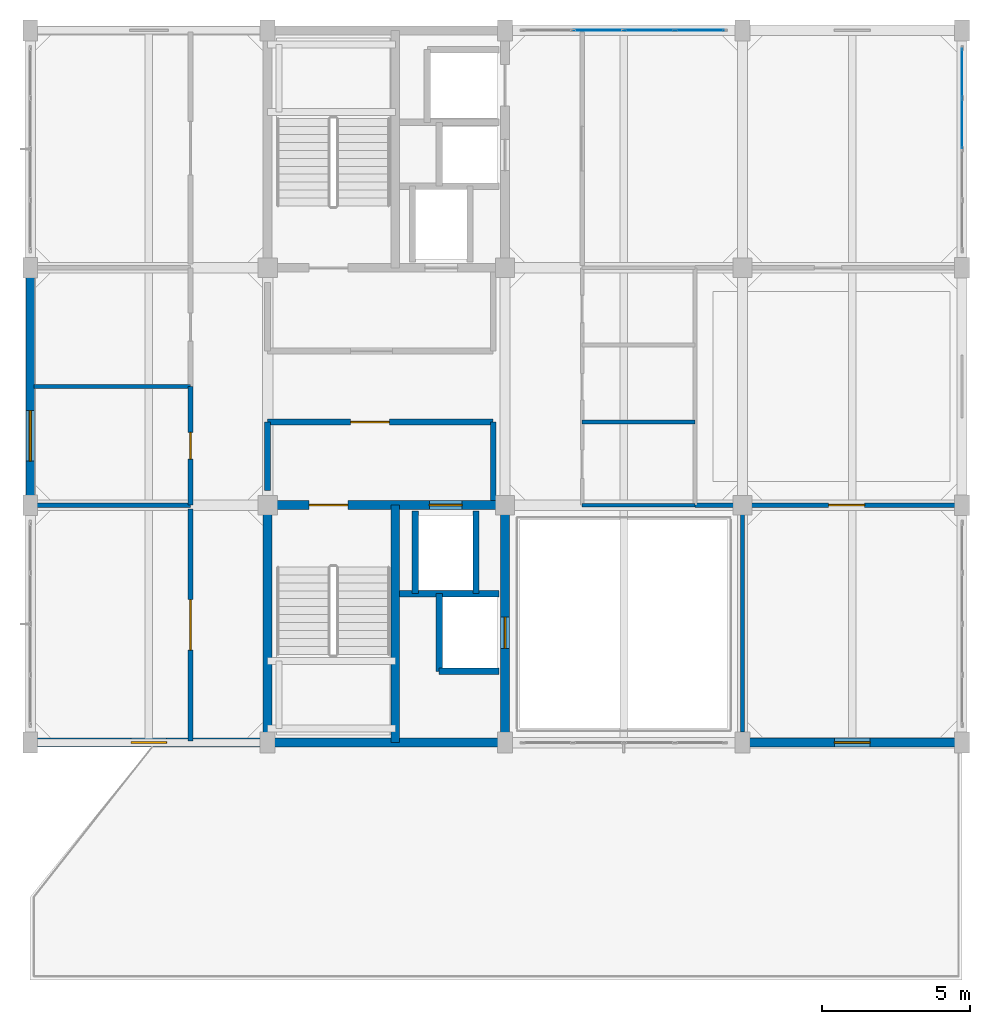
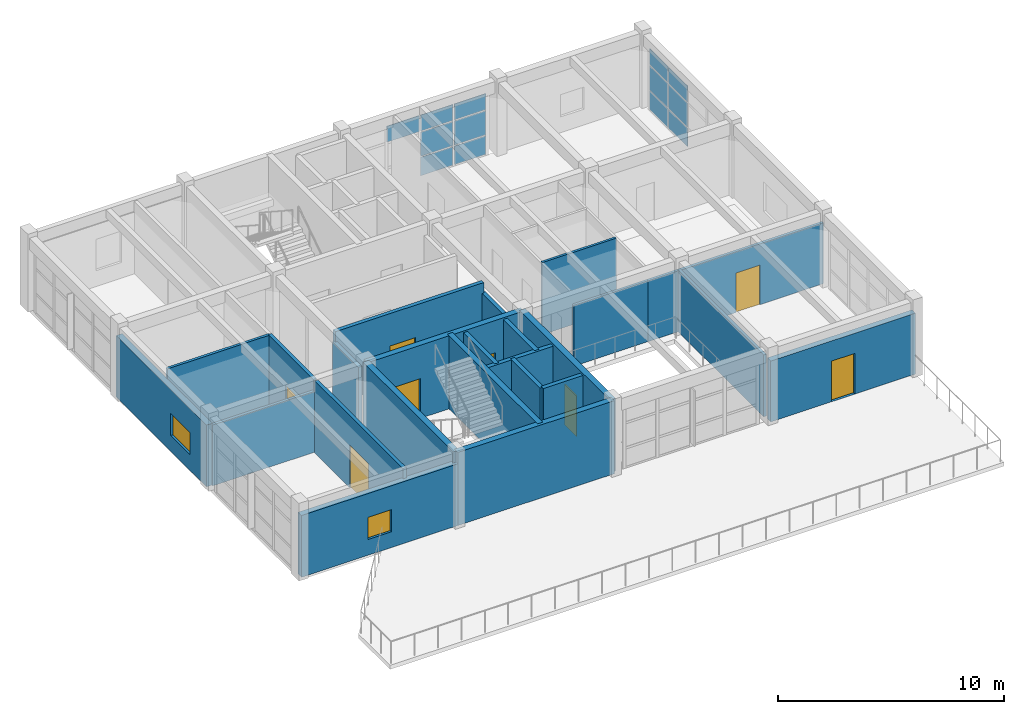
# One storey, part 16 of 20: 24 walls, 13 plates, 8 doors, 2 windows, 10 openings, 2 elements without a shape of their own.
"""IFC4 building model written with IfcOpenShell, lengths in metres."""

from ifc_helpers import new_model, si_unit, direction, frame, frame_2d, origin, origin_2d, place, context, subcontext, project, spatial, rectangle, extrude, material, layer, layer_set, type_object, element, fill, aggregate, save


model = new_model("IFC4")

# Units and contexts
model_context = context("Model", 3, precision=1e-05, world=origin(), true_north=direction((0.0, 1.0)))
body_context = subcontext(model_context, "Body", "Model", "MODEL_VIEW")
ifc_project = project(units=[si_unit("LENGTHUNIT", "METRE"), si_unit("AREAUNIT", "SQUARE_METRE"), si_unit("VOLUMEUNIT", "CUBIC_METRE"), si_unit("PLANEANGLEUNIT", "RADIAN"), si_unit("MASSUNIT", "GRAM", prefix="KILO")], contexts=[model_context])

# Site, building, storey
site_placement = place(None, origin())
site = spatial("IfcSite", under=ifc_project, at=site_placement, CompositionType="ELEMENT")
building_placement = place(site_placement, origin())
building = spatial("IfcBuilding", under=site, at=building_placement, Name="Canggui Botanical Conservatory", CompositionType="ELEMENT")
storey_placement = place(building_placement, frame((0.0, 0.0, 57.0)))
storey = spatial("IfcBuildingStorey", under=building, at=storey_placement, Name="L14", CompositionType="ELEMENT", Elevation=57.0)

# Curtain wall, plates
ifc_material_1 = material(Name="Thermally Broken Aluminium", Category="aluminium")
ifc_layer_1 = layer(ifc_material_1, 0.1650390625, Name="Thermally Broken Aluminium", Category="aluminium")
ifc_layer_set_1 = layer_set([ifc_layer_1], Name="Thermally Broken Aluminium")
curtain_wall_type = type_object("IfcCurtainWallType", Name="CW-UNIT-B", PredefinedType="USERDEFINED", material=ifc_layer_set_1)
curtain_wall_1_placement = place(storey_placement, origin())
curtain_wall_1 = element("IfcCurtainWall", 1, at=curtain_wall_1_placement, inside=storey, type_object=curtain_wall_type, Name="Facade Curtain Wall CW-TWR-L14-08", ObjectType="UNITISED CURTAIN WALL", PredefinedType="USERDEFINED")
ifc_material_2 = material(Name="Low-E Insulated Glass", Category="glass")
ifc_layer_2 = layer(ifc_material_2, 0.030029296875, Name="Low-E Insulated Glass", Category="glass")
ifc_layer_set_2 = layer_set([ifc_layer_2], Name="Low-E Insulated Glass")
plate_type = type_object("IfcPlateType", Name="CWP-02", PredefinedType="CURTAIN_PANEL", material=ifc_layer_set_2)
plate_1_placement = place(storey_placement, frame((165.139892578125, 66.0, 2.47802734375), z_axis=(0.0, 0.0, 1.0), x_axis=(1.0, 0.0, 0.0)))
plate_1 = element("IfcPlate", 2, at=plate_1_placement, type_object=plate_type, Name="CW-02 panel 2.3", PredefinedType="CURTAIN_PANEL", context=body_context, shape_type="SweptSolid", body=[
    extrude(rectangle(XDim=1.655029296875, YDim=0.030029296875, at=origin_2d()), origin(), (0.0, 0.0, 1.0), 0.862060546875),
])
plate_2_placement = place(storey_placement, frame((166.860107421875, 66.0, 0.06005859375), z_axis=(0.0, 0.0, 1.0), x_axis=(1.0, 0.0, 0.0)))
plate_2 = element("IfcPlate", 3, at=plate_2_placement, type_object=plate_type, Name="CW-02 panel 3.1", PredefinedType="CURTAIN_PANEL", context=body_context, shape_type="SweptSolid", body=[
    extrude(rectangle(XDim=1.655029296875, YDim=0.030029296875, at=origin_2d()), origin(), (0.0, 0.0, 1.0), 0.998046875),
])
plate_3_placement = place(storey_placement, frame((166.860107421875, 66.0, 1.1181640625), z_axis=(0.0, 0.0, 1.0), x_axis=(1.0, 0.0, 0.0)))
plate_3 = element("IfcPlate", 4, at=plate_3_placement, type_object=plate_type, Name="CW-02 panel 3.2", PredefinedType="CURTAIN_PANEL", context=body_context, shape_type="SweptSolid", body=[
    extrude(rectangle(XDim=1.655029296875, YDim=0.030029296875, at=origin_2d()), origin(), (0.0, 0.0, 1.0), 1.300048828125),
])
plate_4_placement = place(storey_placement, frame((166.860107421875, 66.0, 2.47802734375), z_axis=(0.0, 0.0, 1.0), x_axis=(1.0, 0.0, 0.0)))
plate_4 = element("IfcPlate", 5, at=plate_4_placement, type_object=plate_type, Name="CW-02 panel 3.3", PredefinedType="CURTAIN_PANEL", context=body_context, shape_type="SweptSolid", body=[
    extrude(rectangle(XDim=1.655029296875, YDim=0.030029296875, at=origin_2d()), origin(), (0.0, 0.0, 1.0), 0.862060546875),
])
plate_5_placement = place(storey_placement, frame((168.563720703125, 66.0, 0.06005859375), z_axis=(0.0, 0.0, 1.0), x_axis=(1.0, 0.0, 0.0)))
plate_5 = element("IfcPlate", 6, at=plate_5_placement, type_object=plate_type, Name="CW-02 panel 4.1", PredefinedType="CURTAIN_PANEL", context=body_context, shape_type="SweptSolid", body=[
    extrude(rectangle(XDim=1.62255859375, YDim=0.030029296875, at=origin_2d()), origin(), (0.0, 0.0, 1.0), 0.998046875),
])
plate_6_placement = place(storey_placement, frame((168.563720703125, 66.0, 1.1181640625), z_axis=(0.0, 0.0, 1.0), x_axis=(1.0, 0.0, 0.0)))
plate_6 = element("IfcPlate", 7, at=plate_6_placement, type_object=plate_type, Name="CW-02 panel 4.2", PredefinedType="CURTAIN_PANEL", context=body_context, shape_type="SweptSolid", body=[
    extrude(rectangle(XDim=1.62255859375, YDim=0.030029296875, at=origin_2d()), origin(), (0.0, 0.0, 1.0), 1.300048828125),
])
plate_7_placement = place(storey_placement, frame((168.563720703125, 66.0, 2.47802734375), z_axis=(0.0, 0.0, 1.0), x_axis=(1.0, 0.0, 0.0)))
plate_7 = element("IfcPlate", 8, at=plate_7_placement, type_object=plate_type, Name="CW-02 panel 4.3", PredefinedType="CURTAIN_PANEL", context=body_context, shape_type="SweptSolid", body=[
    extrude(rectangle(XDim=1.62255859375, YDim=0.030029296875, at=origin_2d()), origin(), (0.0, 0.0, 1.0), 0.862060546875),
])
aggregate(curtain_wall_1, [plate_1, plate_2, plate_3, plate_4, plate_5, plate_6, plate_7])

curtain_wall_2_placement = place(storey_placement, origin())
curtain_wall_2 = element("IfcCurtainWall", 9, at=curtain_wall_2_placement, inside=storey, type_object=curtain_wall_type, Name="Facade Curtain Wall CW-TWR-L14-10", ObjectType="UNITISED CURTAIN WALL", PredefinedType="USERDEFINED")
plate_8_placement = place(storey_placement, frame((177.39990234375, 64.563720703125, 0.06005859375), z_axis=(0.0, 0.0, 1.0), x_axis=(0.0, -1.0, 0.0)))
plate_8 = element("IfcPlate", 10, at=plate_8_placement, type_object=plate_type, Name="CW-02 panel 1.1", PredefinedType="CURTAIN_PANEL", context=body_context, shape_type="SweptSolid", body=[
    extrude(rectangle(XDim=1.62255859375, YDim=0.030029296875, at=origin_2d()), origin(), (0.0, 0.0, 1.0), 0.998046875),
])
plate_9_placement = place(storey_placement, frame((177.39990234375, 64.563720703125, 1.1181640625), z_axis=(0.0, 0.0, 1.0), x_axis=(0.0, -1.0, 0.0)))
plate_9 = element("IfcPlate", 11, at=plate_9_placement, type_object=plate_type, Name="CW-02 panel 1.2", PredefinedType="CURTAIN_PANEL", context=body_context, shape_type="SweptSolid", body=[
    extrude(rectangle(XDim=1.62255859375, YDim=0.030029296875, at=origin_2d()), origin(), (0.0, 0.0, 1.0), 1.300048828125),
])
plate_10_placement = place(storey_placement, frame((177.39990234375, 64.563720703125, 2.47802734375), z_axis=(0.0, 0.0, 1.0), x_axis=(0.0, -1.0, 0.0)))
plate_10 = element("IfcPlate", 12, at=plate_10_placement, type_object=plate_type, Name="CW-02 panel 1.3", PredefinedType="CURTAIN_PANEL", context=body_context, shape_type="SweptSolid", body=[
    extrude(rectangle(XDim=1.62255859375, YDim=0.030029296875, at=origin_2d()), origin(), (0.0, 0.0, 1.0), 0.862060546875),
])
plate_11_placement = place(storey_placement, frame((177.39990234375, 62.860107421875, 0.06005859375), z_axis=(0.0, 0.0, 1.0), x_axis=(0.0, -1.0, 0.0)))
plate_11 = element("IfcPlate", 13, at=plate_11_placement, type_object=plate_type, Name="CW-02 panel 2.1", PredefinedType="CURTAIN_PANEL", context=body_context, shape_type="SweptSolid", body=[
    extrude(rectangle(XDim=1.655029296875, YDim=0.030029296875, at=origin_2d()), origin(), (0.0, 0.0, 1.0), 0.998046875),
])
plate_12_placement = place(storey_placement, frame((177.39990234375, 62.860107421875, 1.1181640625), z_axis=(0.0, 0.0, 1.0), x_axis=(0.0, -1.0, 0.0)))
plate_12 = element("IfcPlate", 14, at=plate_12_placement, type_object=plate_type, Name="CW-02 panel 2.2", PredefinedType="CURTAIN_PANEL", context=body_context, shape_type="SweptSolid", body=[
    extrude(rectangle(XDim=1.655029296875, YDim=0.030029296875, at=origin_2d()), origin(), (0.0, 0.0, 1.0), 1.300048828125),
])
plate_13_placement = place(storey_placement, frame((177.39990234375, 62.860107421875, 2.47802734375), z_axis=(0.0, 0.0, 1.0), x_axis=(0.0, -1.0, 0.0)))
plate_13 = element("IfcPlate", 15, at=plate_13_placement, type_object=plate_type, Name="CW-02 panel 2.3", PredefinedType="CURTAIN_PANEL", context=body_context, shape_type="SweptSolid", body=[
    extrude(rectangle(XDim=1.655029296875, YDim=0.030029296875, at=origin_2d()), origin(), (0.0, 0.0, 1.0), 0.862060546875),
])
aggregate(curtain_wall_2, [plate_8, plate_9, plate_10, plate_11, plate_12, plate_13])

# Wall, opening, door
ifc_material_3 = material(Name="Precast Concrete C40", Category="concrete")
ifc_layer_3 = layer(ifc_material_3, 0.300048828125, Name="Precast Concrete C40", Category="concrete")
ifc_layer_set_3 = layer_set([ifc_layer_3], Name="Precast Concrete C40")
wall_type_1 = type_object("IfcWallType", Name="EW-300", PredefinedType="STANDARD", material=ifc_layer_set_3)
wall_1_placement = place(storey_placement, frame((177.39990234375, 42.0, 0.0), z_axis=(0.0, 0.0, 1.0), x_axis=(-1.0, 0.0, 0.0)))
wall_1 = element("IfcWall", 16, at=wall_1_placement, inside=storey, type_object=wall_type_1, Name="Tower Insulated Exterior Wall L14-S1", PredefinedType="STANDARD", context=body_context, shape_type="SweptSolid", body=[
    extrude(rectangle(XDim=7.39990234375, YDim=0.300048828125, at=frame_2d((3.699951171875, 0.0))), origin(), (0.0, 0.0, 1.0), 3.2900390625),
])
opening_1_placement = place(wall_1_placement, frame((3.10009765625, 0.0, 0.0)))
opening_1 = element("IfcOpeningElement", 17, at=opening_1_placement, cuts=wall_1, Name="Opening TD-02", PredefinedType="OPENING", context=body_context, shape_type="SweptSolid", body=[
    extrude(rectangle(XDim=1.199951171875, YDim=2.199951171875, at=frame_2d((0.60009765625, 1.10009765625))), frame((0.0, 0.16015625, 0.0), z_axis=(0.0, -1.0, 0.0), x_axis=(1.0, 0.0, 0.0)), (0.0, 0.0, 1.0), 0.320068359375),
])
ifc_material_4 = material(Name="Anodised Aluminium", Category="aluminium")
door_type_1 = type_object("IfcDoorType", Name="EDR-TER12", OperationType="NOTDEFINED", PredefinedType="DOOR", material=ifc_material_4)
door_1_placement = place(opening_1_placement, origin())
door_1 = element("IfcDoor", 18, at=door_1_placement, inside=storey, type_object=door_type_1, Name="Sky Terrace Access Door L14", OperationType="SINGLE_SWING_RIGHT", OverallHeight=2.199951171875, OverallWidth=1.199951171875, PredefinedType="DOOR", context=body_context, shape_type="SweptSolid", body=[
    extrude(rectangle(XDim=1.199951171875, YDim=2.199951171875, at=frame_2d((0.60009765625, 1.10009765625))), frame((0.0, 0.02490234375, 0.0), z_axis=(0.0, -1.0, 0.0), x_axis=(1.0, 0.0, 0.0)), (0.0, 0.0, 1.0), 0.050048828125),
])
fill(opening_1, door_1)

# Wall, opening, window
wall_2_placement = place(storey_placement, frame((154.0, 42.0, 0.0), z_axis=(0.0, 0.0, 1.0), x_axis=(-1.0, 0.0, 0.0)))
wall_2 = element("IfcWall", 19, at=wall_2_placement, inside=storey, type_object=wall_type_1, Name="Tower Insulated Exterior Wall L14-S3", PredefinedType="STANDARD", context=body_context, shape_type="SweptSolid", body=[
    extrude(rectangle(XDim=8.0, YDim=0.300048828125, at=frame_2d((4.0, 0.0))), origin(), (0.0, 0.0, 1.0), 3.340087890625),
])
opening_2_placement = place(wall_2_placement, frame((3.39990234375, 0.0, 0.85009765625)))
opening_2 = element("IfcOpeningElement", 20, at=opening_2_placement, cuts=wall_2, Name="Opening W-06", PredefinedType="OPENING", context=body_context, shape_type="SweptSolid", body=[
    extrude(rectangle(XDim=1.199951171875, YDim=1.199951171875, at=frame_2d((0.60009765625, 0.60009765625))), frame((0.0, 0.16015625, 0.0), z_axis=(0.0, -1.0, 0.0), x_axis=(1.0, 0.0, 0.0)), (0.0, 0.0, 1.0), 0.320068359375),
])
window_type_1 = type_object("IfcWindowType", Name="WIN-06", PartitioningType="SINGLE_PANEL", PredefinedType="WINDOW", material=ifc_material_2)
window_1_placement = place(opening_2_placement, origin())
window_1 = element("IfcWindow", 21, at=window_1_placement, inside=storey, type_object=window_type_1, Name="Tower Firefighter Rescue Window L14-3", OverallHeight=1.199951171875, OverallWidth=1.199951171875, PartitioningType="SINGLE_PANEL", PredefinedType="WINDOW", context=body_context, shape_type="SweptSolid", body=[
    extrude(rectangle(XDim=1.199951171875, YDim=1.199951171875, at=frame_2d((0.60009765625, 0.60009765625))), frame((0.0, 0.030029296875, 0.0), z_axis=(0.0, -1.0, 0.0), x_axis=(1.0, 0.0, 0.0)), (0.0, 0.0, 1.0), 0.06005859375),
])
fill(opening_2, window_1)

wall_3_placement = place(storey_placement, frame((146.0, 50.0, 0.0), z_axis=(0.0, 0.0, 1.0), x_axis=(0.0, 1.0, 0.0)))
wall_3 = element("IfcWall", 22, at=wall_3_placement, inside=storey, type_object=wall_type_1, Name="Tower Insulated Exterior Wall L14-W5", PredefinedType="STANDARD", context=body_context, shape_type="SweptSolid", body=[
    extrude(rectangle(XDim=8.0, YDim=0.300048828125, at=frame_2d((4.0, 0.0))), origin(), (0.0, 0.0, 1.0), 3.340087890625),
])
opening_3_placement = place(wall_3_placement, frame((1.48291015625, 0.0, 0.85009765625)))
opening_3 = element("IfcOpeningElement", 23, at=opening_3_placement, cuts=wall_3, Name="Opening W-23", PredefinedType="OPENING", context=body_context, shape_type="SweptSolid", body=[
    extrude(rectangle(XDim=1.699951171875, YDim=1.199951171875, at=frame_2d((0.85009765625, 0.60009765625))), frame((0.0, 0.16015625, 0.0), z_axis=(0.0, -1.0, 0.0), x_axis=(1.0, 0.0, 0.0)), (0.0, 0.0, 1.0), 0.320068359375),
])
window_type_2 = type_object("IfcWindowType", Name="WIN-23", PartitioningType="SINGLE_PANEL", PredefinedType="WINDOW", material=ifc_material_2)
window_2_placement = place(opening_3_placement, origin())
window_2 = element("IfcWindow", 24, at=window_2_placement, inside=storey, type_object=window_type_2, Name="Tower Window L14-5", OverallHeight=1.199951171875, OverallWidth=1.699951171875, PartitioningType="SINGLE_PANEL", PredefinedType="WINDOW", context=body_context, shape_type="SweptSolid", body=[
    extrude(rectangle(XDim=1.699951171875, YDim=1.199951171875, at=frame_2d((0.85009765625, 0.60009765625))), frame((0.0, 0.030029296875, 0.0), z_axis=(0.0, -1.0, 0.0), x_axis=(1.0, 0.0, 0.0)), (0.0, 0.0, 1.0), 0.06005859375),
])
fill(opening_3, window_2)

# Wall, opening, door
ifc_material_5 = material(Name="Gypsum Plasterboard Partition")
ifc_layer_4 = layer(ifc_material_5, 0.175048828125, Name="Gypsum Plasterboard Partition")
ifc_layer_set_4 = layer_set([ifc_layer_4], Name="Gypsum Plasterboard Partition")
wall_type_2 = type_object("IfcWallType", Name="IW-CORR-175", PredefinedType="STANDARD", material=ifc_layer_set_4)
wall_4_placement = place(storey_placement, frame((151.39990234375, 42.050048828125, 0.0), z_axis=(0.0, 0.0, 1.0), x_axis=(0.0, 1.0, 0.0)))
wall_4 = element("IfcWall", 25, at=wall_4_placement, inside=storey, type_object=wall_type_2, Name="L14 Conservation Curation Studio Corridor Wall", PredefinedType="STANDARD", context=body_context, shape_type="SweptSolid", body=[
    extrude(rectangle(XDim=7.829833984375, YDim=0.175048828125, at=frame_2d((3.9150390625, 0.0))), origin(), (0.0, 0.0, 1.0), 3.89990234375),
])
opening_4_placement = place(wall_4_placement, frame((3.06494140625, 0.0, 0.0)))
opening_4 = element("IfcOpeningElement", 26, at=opening_4_placement, cuts=wall_4, Name="Opening FD-16", PredefinedType="OPENING", context=body_context, shape_type="SweptSolid", body=[
    extrude(rectangle(XDim=1.699951171875, YDim=2.300048828125, at=frame_2d((0.85009765625, 1.14990234375))), frame((0.0, 0.09765625, 0.0), z_axis=(0.0, -1.0, 0.0), x_axis=(1.0, 0.0, 0.0)), (0.0, 0.0, 1.0), 0.195068359375),
])
ifc_material_6 = material(Name="Powder-Coated Steel", Category="steel")
door_type_2 = type_object("IfcDoorType", Name="FD-16", OperationType="NOTDEFINED", PredefinedType="DOOR", material=ifc_material_6)
door_2_placement = place(opening_4_placement, origin())
door_2 = element("IfcDoor", 27, at=door_2_placement, inside=storey, type_object=door_type_2, Name="L14 Conservation Curation Studio Entrance Door", OperationType="DOUBLE_DOOR_SINGLE_SWING", OverallHeight=2.300048828125, OverallWidth=1.699951171875, PredefinedType="DOOR", context=body_context, shape_type="SweptSolid", body=[
    extrude(rectangle(XDim=1.699951171875, YDim=2.300048828125, at=frame_2d((0.85009765625, 1.14990234375))), frame((0.0, 0.02490234375, 0.0), z_axis=(0.0, -1.0, 0.0), x_axis=(1.0, 0.0, 0.0)), (0.0, 0.0, 1.0), 0.050048828125),
])
fill(opening_4, door_2)

wall_5_placement = place(storey_placement, frame((151.39990234375, 50.0, 0.0), z_axis=(0.0, 0.0, 1.0), x_axis=(0.0, 1.0, 0.0)))
wall_5 = element("IfcWall", 28, at=wall_5_placement, inside=storey, type_object=wall_type_2, Name="L14 Cleaners' Store Wall", PredefinedType="STANDARD", context=body_context, shape_type="SweptSolid", body=[
    extrude(rectangle(XDim=4.0, YDim=0.175048828125, at=frame_2d((2.0, 0.0))), origin(), (0.0, 0.0, 1.0), 3.89990234375),
])
opening_5_placement = place(wall_5_placement, frame((1.550048828125, 0.0, 0.0)))
opening_5 = element("IfcOpeningElement", 29, at=opening_5_placement, cuts=wall_5, Name="Opening FD-01", PredefinedType="OPENING", context=body_context, shape_type="SweptSolid", body=[
    extrude(rectangle(XDim=0.89990234375, YDim=2.10009765625, at=frame_2d((0.449951171875, 1.050048828125))), frame((0.0, 0.09765625, 0.0), z_axis=(0.0, -1.0, 0.0), x_axis=(1.0, 0.0, 0.0)), (0.0, 0.0, 1.0), 0.195068359375),
])
door_type_3 = type_object("IfcDoorType", Name="FD-01", OperationType="NOTDEFINED", PredefinedType="DOOR", material=ifc_material_6)
door_3_placement = place(opening_5_placement, origin())
door_3 = element("IfcDoor", 30, at=door_3_placement, inside=storey, type_object=door_type_3, Name="Interior Door IW-L14-STRW1", OperationType="SINGLE_SWING_LEFT", OverallHeight=2.10009765625, OverallWidth=0.89990234375, PredefinedType="DOOR", context=body_context, shape_type="SweptSolid", body=[
    extrude(rectangle(XDim=0.89990234375, YDim=2.10009765625, at=frame_2d((0.449951171875, 1.050048828125))), frame((0.0, 0.02490234375, 0.0), z_axis=(0.0, -1.0, 0.0), x_axis=(1.0, 0.0, 0.0)), (0.0, 0.0, 1.0), 0.050048828125),
])
fill(opening_5, door_3)

ifc_material_7 = material(Name="Concrete C35", Category="concrete")
ifc_layer_5 = layer(ifc_material_7, 0.195068359375, Name="Concrete C35", Category="concrete")
ifc_layer_set_5 = layer_set([ifc_layer_5], Name="Concrete C35")
wall_type_3 = type_object("IfcWallType", Name="IW-LOBBY-195", PredefinedType="STANDARD", material=ifc_layer_set_5)
wall_6_placement = place(storey_placement, frame((154.0, 52.800048828125, 0.0), z_axis=(0.0, 0.0, 1.0), x_axis=(1.0, 0.0, 0.0)))
wall_6 = element("IfcWall", 31, at=wall_6_placement, inside=storey, type_object=wall_type_3, Name="L14 South Firefighting Lift Lobby North Wall", PredefinedType="STANDARD", context=body_context, shape_type="SweptSolid", body=[
    extrude(rectangle(XDim=7.60009765625, YDim=0.195068359375, at=frame_2d((3.800048828125, 0.0))), origin(), (0.0, 0.0, 1.0), 3.89990234375),
])
opening_6_placement = place(wall_6_placement, frame((2.800048828125, 0.0, 0.0)))
opening_6 = element("IfcOpeningElement", 32, at=opening_6_placement, cuts=wall_6, Name="Opening FD-09", PredefinedType="OPENING", context=body_context, shape_type="SweptSolid", body=[
    extrude(rectangle(XDim=1.300048828125, YDim=2.14990234375, at=frame_2d((0.64990234375, 1.074951171875))), frame((0.0, 0.107421875, 0.0), z_axis=(0.0, -1.0, 0.0), x_axis=(1.0, 0.0, 0.0)), (0.0, 0.0, 1.0), 0.215087890625),
])
door_type_4 = type_object("IfcDoorType", Name="FD-09", OperationType="NOTDEFINED", PredefinedType="DOOR", material=ifc_material_6)
door_4_placement = place(opening_6_placement, origin())
door_4 = element("IfcDoor", 33, at=door_4_placement, inside=storey, type_object=door_type_4, Name="L14 South Firefighting Lobby Fire Door", OperationType="SINGLE_SWING_RIGHT", OverallHeight=2.14990234375, OverallWidth=1.300048828125, PredefinedType="DOOR", context=body_context, shape_type="SweptSolid", body=[
    extrude(rectangle(XDim=1.300048828125, YDim=2.14990234375, at=frame_2d((0.64990234375, 1.074951171875))), frame((0.0, 0.02490234375, 0.0), z_axis=(0.0, -1.0, 0.0), x_axis=(1.0, 0.0, 0.0)), (0.0, 0.0, 1.0), 0.050048828125),
])
fill(opening_6, door_4)

# Walls
wall_7_placement = place(storey_placement, frame((161.60009765625, 50.14990234375, 0.0), z_axis=(0.0, 0.0, 1.0), x_axis=(0.0, 1.0, 0.0)))
element("IfcWall", 34, at=wall_7_placement, inside=storey, type_object=wall_type_3, Name="L14 South Firefighting Lift Lobby East Wall", PredefinedType="STANDARD", context=body_context, shape_type="SweptSolid", body=[
    extrude(rectangle(XDim=2.650146484375, YDim=0.195068359375, at=frame_2d((1.3251953125, 0.0))), origin(), (0.0, 0.0, 1.0), 3.340087890625),
])
wall_8_placement = place(storey_placement, frame((154.0, 50.5, 0.0), z_axis=(0.0, 0.0, 1.0), x_axis=(0.0, 1.0, 0.0)))
element("IfcWall", 35, at=wall_8_placement, inside=storey, type_object=wall_type_3, Name="L14 South Firefighting Lift Lobby West Wall", PredefinedType="STANDARD", context=body_context, shape_type="SweptSolid", body=[
    extrude(rectangle(XDim=2.300048828125, YDim=0.195068359375, at=frame_2d((1.14990234375, 0.0))), origin(), (0.0, 0.0, 1.0), 3.340087890625),
])
ifc_layer_6 = layer(ifc_material_5, 0.139892578125, Name="Gypsum Plasterboard Partition")
ifc_layer_set_6 = layer_set([ifc_layer_6], Name="Gypsum Plasterboard Partition")
wall_type_4 = type_object("IfcWallType", Name="IW-PART-140", PredefinedType="STANDARD", material=ifc_layer_set_6)
wall_9_placement = place(storey_placement, frame((146.1201171875, 50.0, 0.0), z_axis=(0.0, 0.0, 1.0), x_axis=(1.0, 0.0, 0.0)))
element("IfcWall", 36, at=wall_9_placement, inside=storey, type_object=wall_type_4, Name="L14 Store South Cross Wall", PredefinedType="STANDARD", context=body_context, shape_type="SweptSolid", body=[
    extrude(rectangle(XDim=5.27978515625, YDim=0.139892578125, at=frame_2d((2.639892578125, 0.0))), origin(), (0.0, 0.0, 1.0), 3.2900390625),
])
wall_10_placement = place(storey_placement, frame((146.1201171875, 54.0, 0.0), z_axis=(0.0, 0.0, 1.0), x_axis=(1.0, 0.0, 0.0)))
element("IfcWall", 37, at=wall_10_placement, inside=storey, type_object=wall_type_4, Name="L14 Store Cross Wall", PredefinedType="STANDARD", context=body_context, shape_type="SweptSolid", body=[
    extrude(rectangle(XDim=5.27978515625, YDim=0.139892578125, at=frame_2d((2.639892578125, 0.0))), origin(), (0.0, 0.0, 1.0), 3.89990234375),
])
wall_11_placement = place(storey_placement, frame((170.0, 42.35009765625, 0.0), z_axis=(0.0, 0.0, 1.0), x_axis=(0.0, 1.0, 0.0)))
element("IfcWall", 38, at=wall_11_placement, inside=storey, type_object=wall_type_4, Name="L14 Population Genetics Void Wall", PredefinedType="STANDARD", context=body_context, shape_type="SweptSolid", body=[
    extrude(rectangle(XDim=7.64990234375, YDim=0.139892578125, at=frame_2d((3.824951171875, 0.0))), origin(), (0.0, 0.0, 1.0), 3.340087890625),
])

# Wall, opening, door
wall_12_placement = place(storey_placement, frame((168.39990234375, 50.0, 0.0), z_axis=(0.0, 0.0, 1.0), x_axis=(1.0, 0.0, 0.0)))
wall_12 = element("IfcWall", 39, at=wall_12_placement, inside=storey, type_object=wall_type_4, Name="L14 Population Genetics North Wall", PredefinedType="STANDARD", context=body_context, shape_type="SweptSolid", body=[
    extrude(rectangle(XDim=8.960205078125, YDim=0.139892578125, at=frame_2d((4.47998046875, 0.0))), origin(), (0.0, 0.0, 1.0), 3.2900390625),
])
opening_7_placement = place(wall_12_placement, frame((4.5, 0.0, 0.0)))
opening_7 = element("IfcOpeningElement", 40, at=opening_7_placement, cuts=wall_12, Name="Opening ID-08", PredefinedType="OPENING", context=body_context, shape_type="SweptSolid", body=[
    extrude(rectangle(XDim=1.219970703125, YDim=2.139892578125, at=frame_2d((0.60986328125, 1.06982421875))), frame((0.0, 0.080078125, 0.0), z_axis=(0.0, -1.0, 0.0), x_axis=(1.0, 0.0, 0.0)), (0.0, 0.0, 1.0), 0.159912109375),
])
ifc_material_8 = material(Name="Engineered Timber Veneer", Category="wood")
door_type_5 = type_object("IfcDoorType", Name="ID-08", OperationType="NOTDEFINED", PredefinedType="DOOR", material=ifc_material_8)
door_5_placement = place(opening_7_placement, origin())
door_5 = element("IfcDoor", 41, at=door_5_placement, inside=storey, type_object=door_type_5, Name="Interior Door IW-L14-EFAR-N", OperationType="SINGLE_SWING_LEFT", OverallHeight=2.139892578125, OverallWidth=1.219970703125, PredefinedType="DOOR", context=body_context, shape_type="SweptSolid", body=[
    extrude(rectangle(XDim=1.219970703125, YDim=2.139892578125, at=frame_2d((0.60986328125, 1.06982421875))), frame((0.0, 0.02490234375, 0.0), z_axis=(0.0, -1.0, 0.0), x_axis=(1.0, 0.0, 0.0)), (0.0, 0.0, 1.0), 0.050048828125),
])
fill(opening_7, door_5)

# Walls
ifc_layer_7 = layer(ifc_material_7, 0.215087890625, Name="Concrete C35", Category="concrete")
ifc_layer_set_7 = layer_set([ifc_layer_7], Name="Concrete C35")
wall_type_5 = type_object("IfcWallType", Name="IW-SHAFT-215", PredefinedType="STANDARD", material=ifc_layer_set_7)
wall_13_placement = place(storey_placement, frame((158.449951171875, 47.02001953125, 0.0), z_axis=(0.0, 0.0, 1.0), x_axis=(1.0, 0.0, 0.0)))
element("IfcWall", 42, at=wall_13_placement, inside=storey, type_object=wall_type_5, Name="Core T1 Lift Shaft Divider L14", PredefinedType="STANDARD", context=body_context, shape_type="SweptSolid", body=[
    extrude(rectangle(XDim=3.35009765625, YDim=0.215087890625, at=frame_2d((1.675048828125, 0.0))), origin(), (0.0, 0.0, 1.0), 3.89990234375),
])
for number, where, z_axis, x_axis, name in (
    (43, (158.97998046875, 47.02001953125, 0.0), (0.0, 0.0, 1.0), (0.0, 1.0, 0.0), "Core T1 FL-01 West Shaft Wall L14"),
    (44, (161.02001953125, 47.02001953125, 0.0), (0.0, 0.0, 1.0), (0.0, 1.0, 0.0), "Core T1 FL-01 East Shaft Wall L14"),
):
    element("IfcWall", number, at=place(storey_placement, frame(where, z_axis=z_axis, x_axis=x_axis)), inside=storey, type_object=wall_type_5, Name=name, PredefinedType="STANDARD", context=body_context, shape_type="SweptSolid", body=[
        extrude(rectangle(XDim=2.780029296875, YDim=0.215087890625, at=frame_2d((1.39013671875, 0.0))), origin(), (0.0, 0.0, 1.0), 3.89990234375),
    ])
wall_14_placement = place(storey_placement, frame((159.780029296875, 44.39990234375, 0.0), z_axis=(0.0, 0.0, 1.0), x_axis=(0.0, 1.0, 0.0)))
element("IfcWall", 45, at=wall_14_placement, inside=storey, type_object=wall_type_5, Name="Core T1 PL-01 West Shaft Wall L14", PredefinedType="STANDARD", context=body_context, shape_type="SweptSolid", body=[
    extrude(rectangle(XDim=2.6201171875, YDim=0.215087890625, at=frame_2d((1.31005859375, 0.0))), origin(), (0.0, 0.0, 1.0), 3.89990234375),
])
wall_15_placement = place(storey_placement, frame((159.780029296875, 44.39990234375, 0.0), z_axis=(0.0, 0.0, 1.0), x_axis=(1.0, 0.0, 0.0)))
element("IfcWall", 46, at=wall_15_placement, inside=storey, type_object=wall_type_5, Name="Core T1 PL-01 South Shaft Wall L14", PredefinedType="STANDARD", context=body_context, shape_type="SweptSolid", body=[
    extrude(rectangle(XDim=2.02001953125, YDim=0.215087890625, at=frame_2d((1.010009765625, 0.0))), origin(), (0.0, 0.0, 1.0), 3.89990234375),
])
ifc_layer_8 = layer(ifc_material_5, 0.125, Name="Gypsum Plasterboard Partition")
ifc_layer_set_8 = layer_set([ifc_layer_8], Name="Gypsum Plasterboard Partition")
wall_type_6 = type_object("IfcWallType", Name="IW-WC-125", PredefinedType="STANDARD", material=ifc_layer_set_8)
wall_16_placement = place(storey_placement, frame((164.60009765625, 50.0, 0.0), z_axis=(0.0, 0.0, 1.0), x_axis=(1.0, 0.0, 0.0)))
element("IfcWall", 47, at=wall_16_placement, inside=storey, type_object=wall_type_6, Name="L14 Restroom Divider Y50.0", PredefinedType="STANDARD", context=body_context, shape_type="SweptSolid", body=[
    extrude(rectangle(XDim=3.7998046875, YDim=0.125, at=frame_2d((1.89990234375, 0.0))), origin(), (0.0, 0.0, 1.0), 3.2900390625),
])
wall_17_placement = place(storey_placement, frame((164.60009765625, 52.800048828125, 0.0), z_axis=(0.0, 0.0, 1.0), x_axis=(1.0, 0.0, 0.0)))
element("IfcWall", 48, at=wall_17_placement, inside=storey, type_object=wall_type_6, Name="L14 Restroom Divider Y52.8", PredefinedType="STANDARD", context=body_context, shape_type="SweptSolid", body=[
    extrude(rectangle(XDim=3.7998046875, YDim=0.125, at=frame_2d((1.89990234375, 0.0))), origin(), (0.0, 0.0, 1.0), 3.89990234375),
])
ifc_layer_9 = layer(ifc_material_7, 0.280029296875, Name="Concrete C35", Category="concrete")
ifc_layer_set_9 = layer_set([ifc_layer_9], Name="Concrete C35")
wall_type_7 = type_object("IfcWallType", Name="WALL-SH-280-C35", PredefinedType="SHEAR", material=ifc_layer_set_9)
wall_18_placement = place(storey_placement, frame((158.300048828125, 42.0, 0.0), z_axis=(0.0, 0.0, 1.0), x_axis=(0.0, 1.0, 0.0)))
element("IfcWall", 49, at=wall_18_placement, inside=storey, type_object=wall_type_7, Name="Core T1 Internal Shear Web L14", PredefinedType="SHEAR", context=body_context, shape_type="SweptSolid", body=[
    extrude(rectangle(XDim=8.0, YDim=0.280029296875, at=frame_2d((4.0, 0.0))), origin(), (0.0, 0.0, 1.0), 3.949951171875),
])
ifc_layer_10 = layer(ifc_material_7, 0.300048828125, Name="Concrete C35", Category="concrete")
ifc_layer_set_10 = layer_set([ifc_layer_10], Name="Concrete C35")
wall_type_8 = type_object("IfcWallType", Name="WALL-SH-300-C35", PredefinedType="SHEAR", material=ifc_layer_set_10)
wall_19_placement = place(storey_placement, frame((154.0, 42.0, 0.0), z_axis=(0.0, 0.0, 1.0), x_axis=(1.0, 0.0, 0.0)))
element("IfcWall", 50, at=wall_19_placement, inside=storey, type_object=wall_type_8, Name="Core T1 Shear Wall L14-S", PredefinedType="SHEAR", context=body_context, shape_type="SweptSolid", body=[
    extrude(rectangle(XDim=8.0, YDim=0.300048828125, at=frame_2d((4.0, 0.0))), origin(), (0.0, 0.0, 1.0), 3.949951171875),
])

# Wall, opening, door
wall_20_placement = place(storey_placement, frame((162.0, 42.0, 0.0), z_axis=(0.0, 0.0, 1.0), x_axis=(0.0, 1.0, 0.0)))
wall_20 = element("IfcWall", 51, at=wall_20_placement, inside=storey, type_object=wall_type_8, Name="Core T1 Shear Wall L14-E", PredefinedType="SHEAR", context=body_context, shape_type="SweptSolid", body=[
    extrude(rectangle(XDim=8.0, YDim=0.300048828125, at=frame_2d((4.0, 0.0))), origin(), (0.0, 0.0, 1.0), 3.949951171875),
])
opening_8_placement = place(wall_20_placement, frame((3.175048828125, 0.0, 0.0)))
opening_8 = element("IfcOpeningElement", 52, at=opening_8_placement, cuts=wall_20, Name="Opening LD-02", PredefinedType="OPENING", context=body_context, shape_type="SweptSolid", body=[
    extrude(rectangle(XDim=1.050048828125, YDim=2.199951171875, at=frame_2d((0.52490234375, 1.10009765625))), frame((0.0, 0.16015625, 0.0), z_axis=(0.0, -1.0, 0.0), x_axis=(1.0, 0.0, 0.0)), (0.0, 0.0, 1.0), 0.320068359375),
])
ifc_material_9 = material(Name="Stainless Steel 304", Category="steel")
door_type_6 = type_object("IfcDoorType", Name="LDR-02", OperationType="NOTDEFINED", PredefinedType="DOOR", material=ifc_material_9)
door_6_placement = place(opening_8_placement, origin())
door_6 = element("IfcDoor", 53, at=door_6_placement, inside=storey, type_object=door_type_6, Name="Passenger Lift PL-01 Landing Door L14", OperationType="SLIDING_TO_LEFT", OverallHeight=2.199951171875, OverallWidth=1.050048828125, PredefinedType="DOOR", context=body_context, shape_type="SweptSolid", body=[
    extrude(rectangle(XDim=1.050048828125, YDim=2.199951171875, at=frame_2d((0.52490234375, 1.10009765625))), frame((0.0, 0.02490234375, 0.0), z_axis=(0.0, -1.0, 0.0), x_axis=(1.0, 0.0, 0.0)), (0.0, 0.0, 1.0), 0.050048828125),
])
fill(opening_8, door_6)

# Wall, openings, doors
wall_21_placement = place(storey_placement, frame((162.0, 50.0, 0.0), z_axis=(0.0, 0.0, 1.0), x_axis=(-1.0, 0.0, 0.0)))
wall_21 = element("IfcWall", 54, at=wall_21_placement, inside=storey, type_object=wall_type_8, Name="Core T1 Shear Wall L14-N", PredefinedType="SHEAR", context=body_context, shape_type="SweptSolid", body=[
    extrude(rectangle(XDim=8.0, YDim=0.300048828125, at=frame_2d((4.0, 0.0))), origin(), (0.0, 0.0, 1.0), 3.949951171875),
])
opening_9_placement = place(wall_21_placement, frame((5.300048828125, 0.0, 0.0)))
opening_9 = element("IfcOpeningElement", 55, at=opening_9_placement, cuts=wall_21, Name="Opening FD-09", PredefinedType="OPENING", context=body_context, shape_type="SweptSolid", body=[
    extrude(rectangle(XDim=1.300048828125, YDim=2.14990234375, at=frame_2d((0.64990234375, 1.074951171875))), frame((0.0, 0.16015625, 0.0), z_axis=(0.0, -1.0, 0.0), x_axis=(1.0, 0.0, 0.0)), (0.0, 0.0, 1.0), 0.320068359375),
])
opening_10_placement = place(wall_21_placement, frame((1.449951171875, 0.0, 0.0)))
opening_10 = element("IfcOpeningElement", 56, at=opening_10_placement, cuts=wall_21, Name="Opening LD-01", PredefinedType="OPENING", context=body_context, shape_type="SweptSolid", body=[
    extrude(rectangle(XDim=1.10009765625, YDim=2.199951171875, at=frame_2d((0.550048828125, 1.10009765625))), frame((0.0, 0.16015625, 0.0), z_axis=(0.0, -1.0, 0.0), x_axis=(1.0, 0.0, 0.0)), (0.0, 0.0, 1.0), 0.320068359375),
])
door_7_placement = place(opening_9_placement, origin())
door_7 = element("IfcDoor", 57, at=door_7_placement, inside=storey, type_object=door_type_4, Name="Tower South Smoke-Proof Stair Door L14", OperationType="SINGLE_SWING_LEFT", OverallHeight=2.14990234375, OverallWidth=1.300048828125, PredefinedType="DOOR", context=body_context, shape_type="SweptSolid", body=[
    extrude(rectangle(XDim=1.300048828125, YDim=2.14990234375, at=frame_2d((0.64990234375, 1.074951171875))), frame((0.0, 0.02490234375, 0.0), z_axis=(0.0, -1.0, 0.0), x_axis=(1.0, 0.0, 0.0)), (0.0, 0.0, 1.0), 0.050048828125),
])
fill(opening_9, door_7)
door_type_7 = type_object("IfcDoorType", Name="LDR-01", OperationType="NOTDEFINED", PredefinedType="DOOR", material=ifc_material_9)
door_8_placement = place(opening_10_placement, origin())
door_8 = element("IfcDoor", 58, at=door_8_placement, inside=storey, type_object=door_type_7, Name="Firefighting Lift FL-01 Landing Door L14", OperationType="SLIDING_TO_LEFT", OverallHeight=2.199951171875, OverallWidth=1.10009765625, PredefinedType="DOOR", context=body_context, shape_type="SweptSolid", body=[
    extrude(rectangle(XDim=1.10009765625, YDim=2.199951171875, at=frame_2d((0.550048828125, 1.10009765625))), frame((0.0, 0.02490234375, 0.0), z_axis=(0.0, -1.0, 0.0), x_axis=(1.0, 0.0, 0.0)), (0.0, 0.0, 1.0), 0.050048828125),
])
fill(opening_10, door_8)

# Wall
wall_22_placement = place(storey_placement, frame((154.0, 50.0, 0.0), z_axis=(0.0, 0.0, 1.0), x_axis=(0.0, -1.0, 0.0)))
element("IfcWall", 59, at=wall_22_placement, inside=storey, type_object=wall_type_8, Name="Core T1 Shear Wall L14-W", PredefinedType="SHEAR", context=body_context, shape_type="SweptSolid", body=[
    extrude(rectangle(XDim=8.0, YDim=0.300048828125, at=frame_2d((4.0, 0.0))), origin(), (0.0, 0.0, 1.0), 3.949951171875),
])

save(model, "model.ifc")
